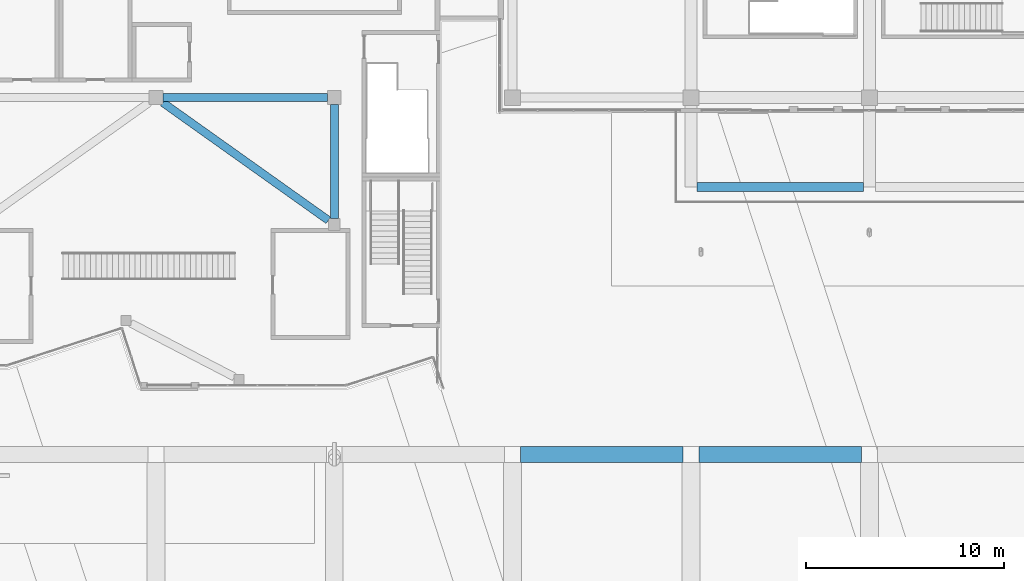
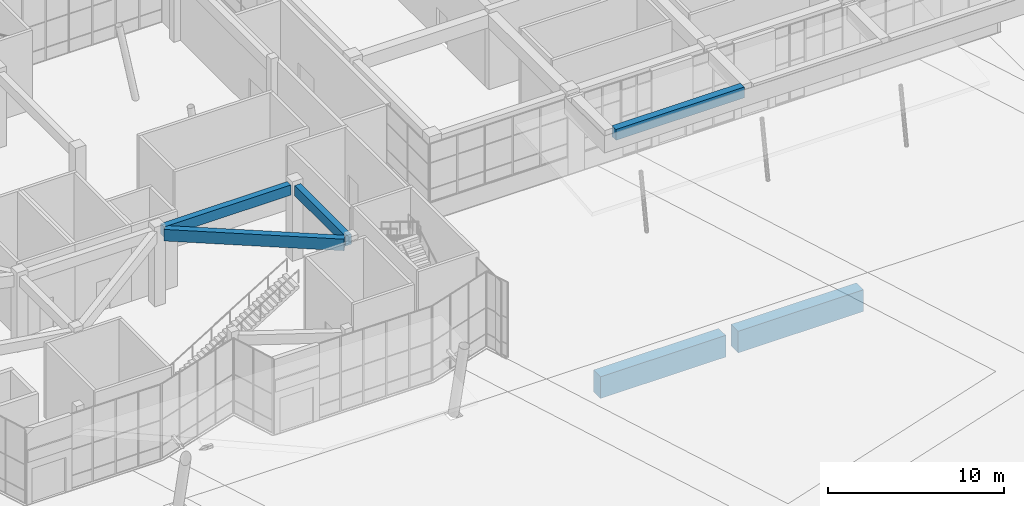
# One storey, part 15 of 72: 6 beams.
"""IFC4 building model written with IfcOpenShell, lengths in metres."""

import ifcopenshell
import ifcopenshell.guid

model = None  # the IFC model being written
_history = None  # IfcOwnerHistory: only IFC2X3 demands one
_inside = {}  # id of a spatial element -> (the spatial element, [elements in it])
_under = {}  # id of a project, library or spatial element -> (it, [spatial elements below it])
_declared = {}  # id of a project -> (the project, [libraries it declares])
_typed = {}  # id of a type object -> (the type object, [elements of that type])
_made_of = {}  # id of a material, layer set ... -> (it, [elements and type objects made of it])


def new_model(schema):
    """Start an empty IFC model of exactly this schema.

    Asked for "IFC4X3", IfcOpenShell would pick the latest addendum, in which some entities
    have other attributes; the version numbers below select the first issue.
    IFC2X3 requires an IfcOwnerHistory on every rooted entity: one is made here for all.
    """
    global model, _history
    if schema == "IFC4X3":
        model = ifcopenshell.file(schema_version=(4, 3, 0, 0))
    else:
        model = ifcopenshell.file(schema=schema)
    _inside.clear()
    _under.clear()
    _declared.clear()
    _typed.clear()
    _made_of.clear()
    _history = None
    if model.schema == "IFC2X3":
        org = make("IfcOrganization", Name="unknown")
        user = make(
            "IfcPersonAndOrganization",
            ThePerson=make("IfcPerson", FamilyName="unknown"),
            TheOrganization=org,
        )
        app = make(
            "IfcApplication",
            ApplicationDeveloper=org,
            Version="unknown",
            ApplicationFullName="unknown",
            ApplicationIdentifier="unknown",
        )
        _history = make(
            "IfcOwnerHistory",
            OwningUser=user,
            OwningApplication=app,
            ChangeAction="ADDED",
            CreationDate=0,
        )
    return model


def make(cls, **values):
    """One entity of the class cls with the attributes given. An attribute that is None is left unset."""
    return model.create_entity(
        cls, **{name: value for name, value in values.items() if value is not None}
    )


def rooted(cls, **values):
    """An entity with a GlobalId (a new one), such as an element, a storey or a relation."""
    return make(cls, GlobalId=ifcopenshell.guid.new(), OwnerHistory=_history, **values)


def si_unit(unit_type, name, prefix=None):
    """IfcSIUnit, for example si_unit("LENGTHUNIT", "METRE", prefix="MILLI")."""
    return make("IfcSIUnit", UnitType=unit_type, Prefix=prefix, Name=name)


def assignment(units):
    """IfcUnitAssignment: the units of a project."""
    return None if units is None else make("IfcUnitAssignment", Units=units)


def point(xyz):
    """IfcCartesianPoint."""
    return None if xyz is None else make("IfcCartesianPoint", Coordinates=xyz)


def direction(xyz):
    """IfcDirection."""
    return None if xyz is None else make("IfcDirection", DirectionRatios=xyz)


def frame(location, z_axis=None, x_axis=None):
    """IfcAxis2Placement3D, a coordinate frame: its origin and axes. An axis left out is left unset."""
    return make(
        "IfcAxis2Placement3D",
        Location=point(location),
        Axis=direction(z_axis),
        RefDirection=direction(x_axis),
    )


def frame_2d(location, x_axis=None):
    """IfcAxis2Placement2D, a coordinate frame in the plane: its origin and x axis."""
    return make(
        "IfcAxis2Placement2D", Location=point(location), RefDirection=direction(x_axis)
    )


def origin():
    """The frame at (0, 0, 0) with its axes left unset."""
    return frame((0.0, 0.0, 0.0))


def origin_2d():
    """The frame at (0, 0) in the plane with its x axis left unset."""
    return frame_2d((0.0, 0.0))


def place(relative_to, where):
    """IfcLocalPlacement: puts the frame where relative to a parent placement (None: the world)."""
    return make(
        "IfcLocalPlacement", PlacementRelTo=relative_to, RelativePlacement=where
    )


def context(
    kind, dimensions, precision=None, world=None, true_north=None, identifier=None
):
    """IfcGeometricRepresentationContext, for example the 3D "Model" context."""
    return make(
        "IfcGeometricRepresentationContext",
        ContextIdentifier=identifier,
        ContextType=kind,
        CoordinateSpaceDimension=dimensions,
        Precision=precision,
        WorldCoordinateSystem=world,
        TrueNorth=true_north,
    )


def subcontext(parent, identifier, kind, view, scale=None):
    """IfcGeometricRepresentationSubContext, for example "Body" below "Model"."""
    return make(
        "IfcGeometricRepresentationSubContext",
        ContextIdentifier=identifier,
        ContextType=kind,
        ParentContext=parent,
        TargetScale=scale,
        TargetView=view,
    )


def project(units=None, contexts=None):
    """IfcProject with its units and contexts."""
    return rooted(
        "IfcProject",
        Name="project",
        RepresentationContexts=contexts,
        UnitsInContext=assignment(units),
    )


def spatial(cls, under=None, at=None, **own):
    """A site, building, storey or space (cls), placed at a placement, below another one or the project."""
    s = rooted(cls, ObjectPlacement=at, **own)
    if under is not None:
        _under.setdefault(under.id(), (under, []))[1].append(s)
    return s


def profile(cls, at=None, kind="AREA", **sizes):
    """A parametric profile (cls). Its sizes go by their IFC names, for example OverallWidth=200.0."""
    return make(cls, ProfileType=kind, Position=at, **sizes)


def rectangle(**sizes):
    """IfcRectangleProfileDef."""
    return profile("IfcRectangleProfileDef", **sizes)


def extrude(swept, where, along, depth):
    """IfcExtrudedAreaSolid: the profile swept, set in the frame where, extruded along a direction by depth."""
    return make(
        "IfcExtrudedAreaSolid",
        SweptArea=swept,
        Position=where,
        ExtrudedDirection=direction(along),
        Depth=depth,
    )


def shape(context_of_items, identifier, shape_type, items):
    """IfcShapeRepresentation: the items that make up one representation, for example the "Body"."""
    return make(
        "IfcShapeRepresentation",
        ContextOfItems=context_of_items,
        RepresentationIdentifier=identifier,
        RepresentationType=shape_type,
        Items=items,
    )


def material(Name=None, Category=None):
    """IfcMaterial."""
    return make("IfcMaterial", Name=Name, Category=Category)


def material_profile(
    of_material, cross_section, Name=None, Category=None, Priority=None
):
    """IfcMaterialProfile: a cross section and its material."""
    return make(
        "IfcMaterialProfile",
        Name=Name,
        Material=of_material,
        Profile=cross_section,
        Priority=Priority,
        Category=Category,
    )


def profile_set(profiles, Name=None, composite=None):
    """IfcMaterialProfileSet."""
    return make(
        "IfcMaterialProfileSet",
        Name=Name,
        MaterialProfiles=profiles,
        CompositeProfile=composite,
    )


def made_of(thing, what):
    """Note that an element or type object is made of a material, layer set ...; save() writes the relation."""
    if what is not None:
        _made_of.setdefault(what.id(), (what, []))[1].append(thing)
    return thing


def type_object(cls, material=None, **own):
    """A type object (cls), such as IfcWallType, which elements share."""
    return made_of(rooted(cls, **own), material)


def element(
    cls,
    number,
    at=None,
    inside=None,
    cuts=None,
    type_object=None,
    material=None,
    context=None,
    identifier="Body",
    shape_type=None,
    held_by="IfcProductDefinitionShape",
    body=None,
    shapes=None,
    **own,
):
    """One element of the class cls, such as IfcWall. Its Tag is "e" and its number.

    at: its placement. inside: the storey or other place that contains it. cuts: it is an
    opening in that element (IfcRelVoidsElement). A single representation is given by context,
    identifier, shape_type and body (its items); several are given by shapes. held_by: the class
    of the entity that holds the representations. save() writes the other relations.
    """
    e = rooted(cls, Tag="e%d" % number, ObjectPlacement=at, **own)
    if body is not None:
        shapes = [shape(context, identifier, shape_type, body)]
    if shapes is not None:
        e.Representation = make(held_by, Representations=shapes)
    if inside is not None:
        _inside.setdefault(inside.id(), (inside, []))[1].append(e)
    if cuts is not None:
        rooted(
            "IfcRelVoidsElement", RelatingBuildingElement=cuts, RelatedOpeningElement=e
        )
    if type_object is not None:
        _typed.setdefault(type_object.id(), (type_object, []))[1].append(e)
    return made_of(e, material)


def aggregate(whole, parts):
    """IfcRelAggregates: a whole, such as a stair, and the parts it consists of."""
    return rooted("IfcRelAggregates", RelatingObject=whole, RelatedObjects=parts)


def save(model, path):
    """Write the relations noted so far, then the file.

    IfcRelAggregates (storeys below a building ...), IfcRelContainedInSpatialStructure (elements
    in a storey), IfcRelDefinesByType, IfcRelAssociatesMaterial and IfcRelDeclares: one each for
    every whole, place, type object, material and project.
    """
    for whole, parts in _under.values():
        aggregate(whole, parts)
    for where, things in _inside.values():
        rooted(
            "IfcRelContainedInSpatialStructure",
            RelatedElements=things,
            RelatingStructure=where,
        )
    for kind, things in _typed.values():
        rooted("IfcRelDefinesByType", RelatedObjects=things, RelatingType=kind)
    for what, things in _made_of.values():
        rooted("IfcRelAssociatesMaterial", RelatedObjects=things, RelatingMaterial=what)
    for by, libraries in _declared.values():
        rooted("IfcRelDeclares", RelatingContext=by, RelatedDefinitions=libraries)
    model.write(path)


model = new_model("IFC4")

# Units and contexts
model_context = context("Model", 3, precision=1e-05, world=origin(), true_north=direction((0.0, 1.0)))
body_context = subcontext(model_context, "Body", "Model", "MODEL_VIEW")
ifc_project = project(units=[si_unit("LENGTHUNIT", "METRE"), si_unit("AREAUNIT", "SQUARE_METRE"), si_unit("VOLUMEUNIT", "CUBIC_METRE"), si_unit("PLANEANGLEUNIT", "RADIAN"), si_unit("MASSUNIT", "GRAM", prefix="KILO")], contexts=[model_context])

# Site, building, storey
site_placement = place(None, origin())
site = spatial("IfcSite", under=ifc_project, at=site_placement, CompositionType="ELEMENT")
building_placement = place(site_placement, origin())
building = spatial("IfcBuilding", under=site, at=building_placement, Name="Tuart Plaza Theatre", CompositionType="ELEMENT")
storey_placement = place(building_placement, origin())
storey = spatial("IfcBuildingStorey", under=building, at=storey_placement, Name="L00", CompositionType="ELEMENT", Elevation=0.0)

# Beams
ifc_material_1 = material(Name="Concrete N40 (40 MPa)", Category="concrete")
ifc_material_profile_1 = material_profile(ifc_material_1, rectangle(XDim=0.39990234375, YDim=0.699951171875, at=origin_2d()), Name="BEAM 400x700 Concrete N40 (40 MPa)")
ifc_profile_set_1 = profile_set([ifc_material_profile_1], Name="Concrete N40 (40 MPa)")
beam_type_1 = type_object("IfcBeamType", Name="BEAM 400x700 Concrete N40 (40 MPa)", PredefinedType="BEAM", material=ifc_profile_set_1)
beam_1_placement = place(storey_placement, frame((96.35009765625, 56.0, 4.85009765625), z_axis=(1.0, 0.0, 0.0), x_axis=(0.0, 1.0, 0.0)))
element("IfcBeam", 1, at=beam_1_placement, inside=storey, type_object=beam_type_1, Name="RB442", PredefinedType="BEAM", context=body_context, shape_type="SweptSolid", body=[
    extrude(rectangle(XDim=0.39990234375, YDim=0.699951171875, at=origin_2d()), origin(), (0.0, 0.0, 1.0), 8.2998046875),
])
beam_2_placement = place(storey_placement, frame((105.0, 55.64990234375, 4.85009765625), z_axis=(0.0, -1.0, 0.0), x_axis=(1.0, 0.0, 0.0)))
element("IfcBeam", 2, at=beam_2_placement, inside=storey, type_object=beam_type_1, Name="RB446", PredefinedType="BEAM", context=body_context, shape_type="SweptSolid", body=[
    extrude(rectangle(XDim=0.39990234375, YDim=0.699951171875, at=origin_2d()), origin(), (0.0, 0.0, 1.0), 5.75),
])
ifc_material_2 = material(Name="Concrete N40 (40 MPa)", Category="concrete")
ifc_material_profile_2 = material_profile(ifc_material_2, rectangle(XDim=0.39990234375, YDim=0.800048828125, at=origin_2d()), Name="BEAM 400x800 Concrete N40 (40 MPa)")
ifc_profile_set_2 = profile_set([ifc_material_profile_2], Name="Concrete N40 (40 MPa)")
beam_type_2 = type_object("IfcBeamType", Name="BEAM 400x800 Concrete N40 (40 MPa)", PredefinedType="BEAM", material=ifc_profile_set_2)
beam_3_placement = place(storey_placement, frame((96.35009765625, 55.751220703125, 4.800048828125), z_axis=(0.814940819645, -0.579544183369, 0.0), x_axis=(0.579544183369, 0.814940819645, 0.0)))
element("IfcBeam", 3, at=beam_3_placement, inside=storey, type_object=beam_type_2, Name="RB444", PredefinedType="BEAM", context=body_context, shape_type="SweptSolid", body=[
    extrude(rectangle(XDim=0.39990234375, YDim=0.800048828125, at=origin_2d()), origin(), (0.0, 0.0, 1.0), 10.245849609375),
])
ifc_material_3 = material(Name="Concrete N40 (40 MPa)", Category="concrete")
ifc_material_profile_3 = material_profile(ifc_material_3, rectangle(XDim=0.449951171875, YDim=0.75, at=origin_2d()), Name="BEAM 450x750 Concrete N40 (40 MPa)")
ifc_profile_set_3 = profile_set([ifc_material_profile_3], Name="Concrete N40 (40 MPa)")
beam_type_3 = type_object("IfcBeamType", Name="BEAM 450x750 Concrete N40 (40 MPa)", PredefinedType="BEAM", material=ifc_profile_set_3)
beam_4_placement = place(storey_placement, frame((123.300048828125, 51.5, 4.875), z_axis=(1.0, 0.0, 0.0), x_axis=(0.0, 1.0, 0.0)))
element("IfcBeam", 4, at=beam_4_placement, inside=storey, type_object=beam_type_3, Name="RB134", PredefinedType="BEAM", context=body_context, shape_type="SweptSolid", body=[
    extrude(rectangle(XDim=0.449951171875, YDim=0.75, at=origin_2d()), origin(), (0.0, 0.0, 1.0), 8.39990234375),
])
ifc_material_4 = material(Name="Concrete N40 (40 MPa)", Category="concrete")
ifc_material_profile_4 = material_profile(ifc_material_4, rectangle(XDim=0.800048828125, YDim=1.5, at=origin_2d()), Name="BEAM 800x1500 Concrete N40 (40 MPa)")
ifc_profile_set_4 = profile_set([ifc_material_profile_4], Name="Concrete N40 (40 MPa)")
beam_type_4 = type_object("IfcBeamType", Name="BEAM 800x1500 Concrete N40 (40 MPa)", PredefinedType="BEAM", material=ifc_profile_set_4)
for number, where, z_axis, x_axis, name in (
    (5, (114.39990234375, 38.0, -1.199951171875), (1.0, 0.0, 0.0), (0.0, 1.0, 0.0), "RB427"),
    (6, (123.39990234375, 38.0, -1.199951171875), (1.0, 0.0, 0.0), (0.0, 1.0, 0.0), "RB428"),
):
    element("IfcBeam", number, at=place(storey_placement, frame(where, z_axis=z_axis, x_axis=x_axis)), inside=storey, type_object=beam_type_4, Name=name, PredefinedType="BEAM", context=body_context, shape_type="SweptSolid", body=[
        extrude(rectangle(XDim=0.800048828125, YDim=1.5, at=origin_2d()), origin(), (0.0, 0.0, 1.0), 8.2001953125),
    ])

save(model, "model.ifc")
